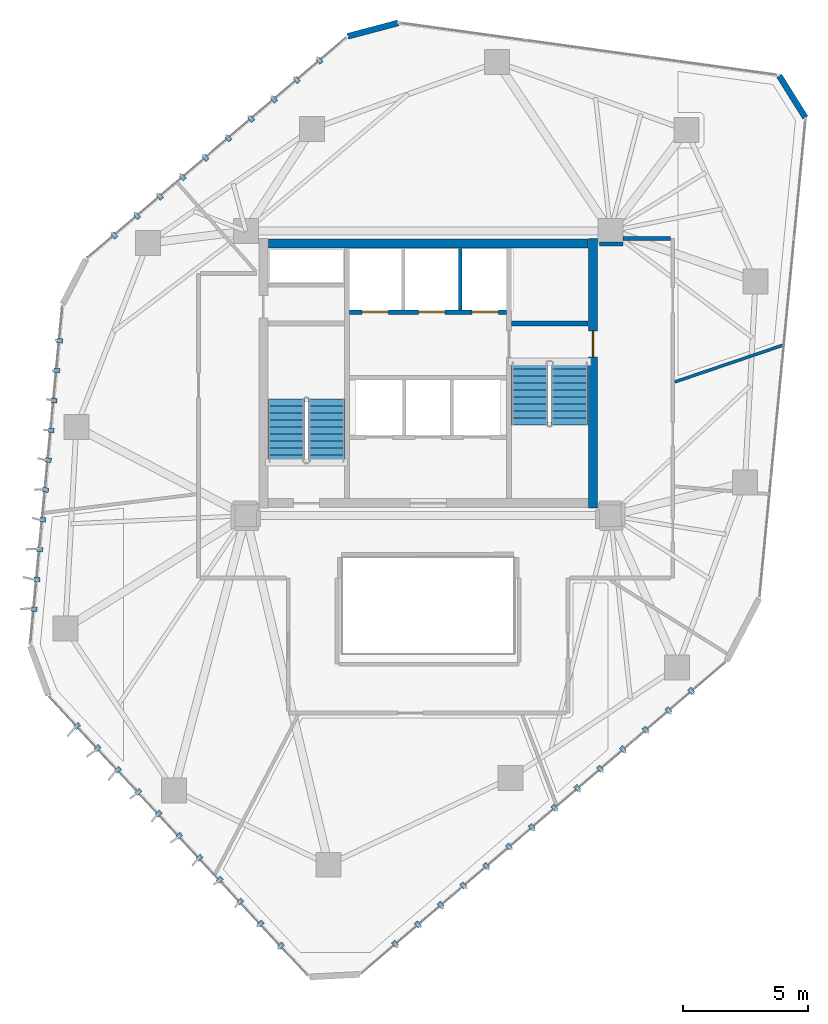
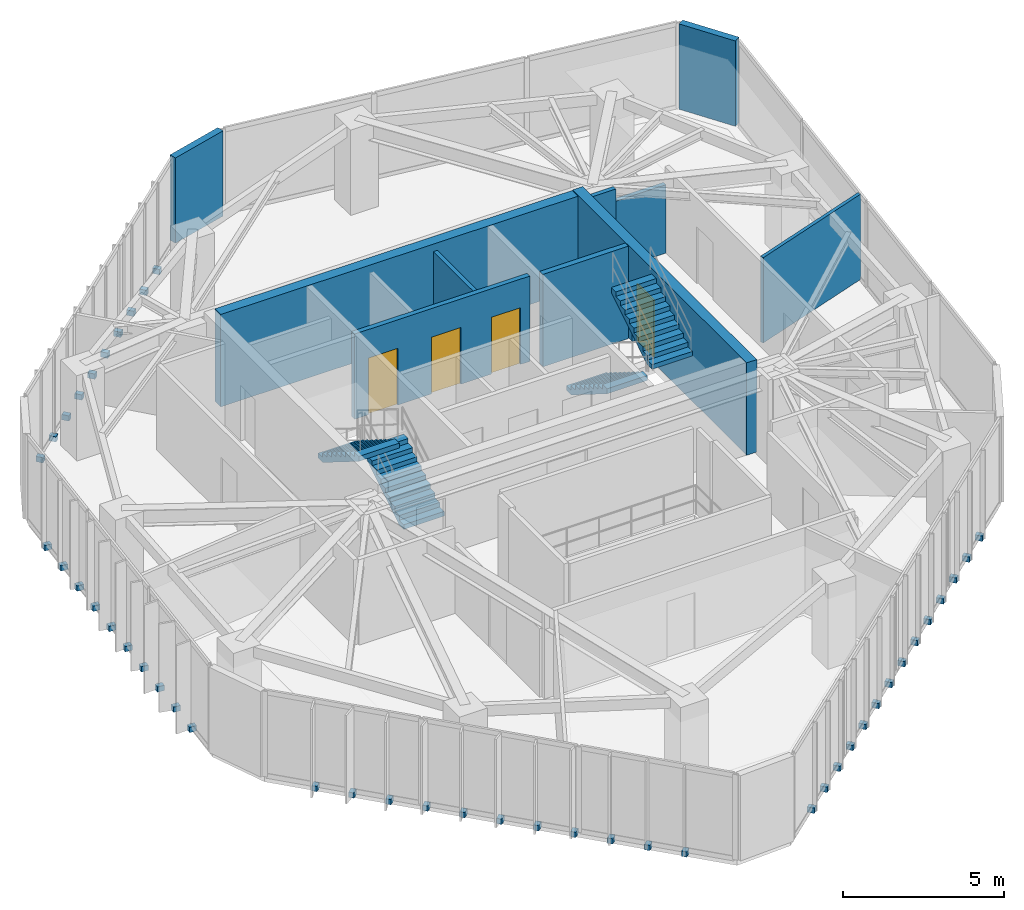
# One storey, part 18 of 20: 45 discrete accessories, 10 walls, 4 doors, 4 stair flights, 4 openings, 2 elements without a shape of their own.
"""IFC4 building model written with IfcOpenShell, lengths in metres."""

from ifc_helpers import new_model, si_unit, direction, frame, frame_2d, origin, origin_2d, place, context, subcontext, project, spatial, polyline, rectangle, outline, extrude, source, transform, mapped, material, layer, layer_set, type_object, type_shapes, element, fill, aggregate, save


model = new_model("IFC4")

# Units and contexts
model_context = context("Model", 3, precision=1e-05, world=origin(), true_north=direction((0.0, 1.0)))
body_context = subcontext(model_context, "Body", "Model", "MODEL_VIEW")
ifc_project = project(units=[si_unit("LENGTHUNIT", "METRE"), si_unit("AREAUNIT", "SQUARE_METRE"), si_unit("VOLUMEUNIT", "CUBIC_METRE"), si_unit("PLANEANGLEUNIT", "RADIAN"), si_unit("MASSUNIT", "GRAM", prefix="KILO")], contexts=[model_context])

# Site, building, storey
site_placement = place(None, origin())
site = spatial("IfcSite", under=ifc_project, at=site_placement, CompositionType="ELEMENT")
building_placement = place(site_placement, origin())
building = spatial("IfcBuilding", under=site, at=building_placement, Name="Talar Marvaseh", CompositionType="ELEMENT")
storey_placement = place(building_placement, frame((0.0, 0.0, 211.699951171875)))
storey = spatial("IfcBuildingStorey", under=building, at=storey_placement, Name="L55", CompositionType="ELEMENT", Elevation=211.699951171875)

# Walls
ifc_material_1 = material(Name="Precast concrete C45/55", Category="concrete")
ifc_layer_1 = layer(ifc_material_1, 0.239990234375)
ifc_layer_set_1 = layer_set([ifc_layer_1], Name="Precast concrete C45/55")
wall_type_1 = type_object("IfcWallType", Name="Chamfered Hexagonal Corner Pier Wall Z3 240", PredefinedType="SOLIDWALL", material=ifc_layer_set_1)
wall_1_placement = place(storey_placement, frame((22.782470703125, 44.70068359375, 0.0), z_axis=(0.0, 0.0, 1.0), x_axis=(0.966490564942, 0.256702138439, 0.0)))
element("IfcWall", 1, at=wall_1_placement, inside=storey, type_object=wall_type_1, Name="L55 Chamfered Corner Limestone Pier 4", PredefinedType="SOLIDWALL", context=body_context, shape_type="SweptSolid", body=[
    extrude(rectangle(XDim=2.088623046875, YDim=0.239990234375, at=frame_2d((1.04443359375, 0.0))), origin(), (0.0, 0.0, 1.0), 3.22998046875),
])
wall_2_placement = place(storey_placement, frame((40.0625, 43.11669921875, 0.0), z_axis=(0.0, 0.0, 1.0), x_axis=(0.531063761858, -0.847331859924, 0.0)))
element("IfcWall", 2, at=wall_2_placement, inside=storey, type_object=wall_type_1, Name="L55 Chamfered Corner Limestone Pier 5", PredefinedType="SOLIDWALL", context=body_context, shape_type="SweptSolid", body=[
    extrude(rectangle(XDim=1.977783203125, YDim=0.239990234375, at=frame_2d((0.98876953125, 0.0))), origin(), (0.0, 0.0, 1.0), 3.22998046875),
])
ifc_material_2 = material(Name="Gypsum Board Partition Assembly")
ifc_layer_2 = layer(ifc_material_2, 0.155029296875)
ifc_layer_set_2 = layer_set([ifc_layer_2], Name="Gypsum Board Partition Assembly")
wall_type_2 = type_object("IfcWallType", Name="Corridor Fire-Rated Acoustic Partition 155", PredefinedType="PARTITIONING", material=ifc_layer_set_2)
wall_3_placement = place(storey_placement, frame((32.8701171875, 36.385009765625, 0.0), z_axis=(0.0, 0.0, 1.0), x_axis=(0.999999965754, 0.000261711585, 0.0)))
element("IfcWall", 3, at=wall_3_placement, inside=storey, type_object=wall_type_2, Name="L55 Interior Partition Wall", PredefinedType="PARTITIONING", context=body_context, shape_type="SweptSolid", body=[
    extrude(rectangle(XDim=0.932861328125, YDim=0.155029296875, at=frame_2d((0.46630859375, 0.0))), origin(), (0.0, 0.0, 1.0), 3.22998046875),
])
wall_4_placement = place(storey_placement, frame((33.81494140625, 36.60009765625, 0.0), z_axis=(0.0, 0.0, 1.0), x_axis=(1.0, 0.0, 0.0)))
element("IfcWall", 4, at=wall_4_placement, inside=storey, type_object=wall_type_2, Name="L55 Interior Partition Wall", PredefinedType="PARTITIONING", context=body_context, shape_type="SweptSolid", body=[
    extrude(rectangle(XDim=1.901611328125, YDim=0.155029296875, at=frame_2d((0.95068359375, 0.0))), origin(), (0.0, 0.0, 1.0), 2.589111328125),
])
ifc_layer_3 = layer(ifc_material_2, 0.1201171875)
ifc_layer_set_3 = layer_set([ifc_layer_3], Name="Gypsum Board Partition Assembly")
wall_type_3 = type_object("IfcWallType", Name="Demountable Studio Room Partition 120", PredefinedType="PARTITIONING", material=ifc_layer_set_3)
wall_5_placement = place(storey_placement, frame((35.883544921875, 30.8583984375, 0.0), z_axis=(0.0, 0.0, 1.0), x_axis=(0.946884036581, 0.321575218678, 0.0)))
element("IfcWall", 5, at=wall_5_placement, inside=storey, type_object=wall_type_3, Name="L55 Interior Partition Wall", PredefinedType="PARTITIONING", context=body_context, shape_type="SweptSolid", body=[
    extrude(rectangle(XDim=4.583984375, YDim=0.1201171875, at=frame_2d((2.2919921875, 0.0))), origin(), (0.0, 0.0, 1.0), 3.22998046875),
])
ifc_layer_4 = layer(ifc_material_1, 0.14501953125)
ifc_layer_set_4 = layer_set([ifc_layer_4], Name="Precast concrete C45/55")
wall_type_4 = type_object("IfcWallType", Name="Fire-Rated Lift Divider Wall 145", PredefinedType="SOLIDWALL", material=ifc_layer_set_4)
wall_6_placement = place(storey_placement, frame((27.280029296875, 33.743408203125, 0.0), z_axis=(0.0, 0.0, 1.0), x_axis=(0.0, 1.0, 0.0)))
element("IfcWall", 6, at=wall_6_placement, inside=storey, type_object=wall_type_4, Name="L55 FFL-2/SVL-1 Divider", PredefinedType="SOLIDWALL", context=body_context, shape_type="SweptSolid", body=[
    extrude(rectangle(XDim=2.45654296875, YDim=0.14501953125, at=frame_2d((1.228271484375, 0.0))), origin(), (0.0, 0.0, 1.0), 3.22998046875),
])

# Wall, openings, doors
ifc_layer_5 = layer(ifc_material_1, 0.175048828125)
ifc_layer_set_5 = layer_set([ifc_layer_5], Name="Precast concrete C45/55")
wall_type_5 = type_object("IfcWallType", Name="Fire-Rated Lift Hoistway Enclosure Wall 175", PredefinedType="SOLIDWALL", material=ifc_layer_set_5)
wall_7_placement = place(storey_placement, frame((22.860107421875, 33.64990234375, 0.0), z_axis=(0.0, 0.0, 1.0), x_axis=(1.0, 0.0, 0.0)))
wall_7 = element("IfcWall", 7, at=wall_7_placement, inside=storey, type_object=wall_type_5, Name="L55 Firefighting and Service Lift Front Wall", PredefinedType="SOLIDWALL", context=body_context, shape_type="SweptSolid", body=[
    extrude(rectangle(XDim=6.27978515625, YDim=0.175048828125, at=frame_2d((3.139892578125, 0.0))), origin(), (0.0, 0.0, 1.0), 3.22998046875),
])
opening_1_placement = place(wall_7_placement, frame((0.5, 0.0, 0.0)))
opening_1 = element("IfcOpeningElement", 8, at=opening_1_placement, cuts=wall_7, Name="Opening LD-FF1", PredefinedType="OPENING", context=body_context, shape_type="SweptSolid", body=[
    extrude(rectangle(XDim=1.050048828125, YDim=2.14990234375, at=frame_2d((0.52490234375, 1.074951171875))), frame((0.0, 0.09765625, 0.0), z_axis=(0.0, -1.0, 0.0), x_axis=(1.0, 0.0, 0.0)), (0.0, 0.0, 1.0), 0.195068359375),
])
opening_2_placement = place(wall_7_placement, frame((2.760009765625, 0.0, 0.0)))
opening_2 = element("IfcOpeningElement", 9, at=opening_2_placement, cuts=wall_7, Name="Opening LD-FF2", PredefinedType="OPENING", context=body_context, shape_type="SweptSolid", body=[
    extrude(rectangle(XDim=1.050048828125, YDim=2.14990234375, at=frame_2d((0.52490234375, 1.074951171875))), frame((0.0, 0.09765625, 0.0), z_axis=(0.0, -1.0, 0.0), x_axis=(1.0, 0.0, 0.0)), (0.0, 0.0, 1.0), 0.195068359375),
])
opening_3_placement = place(wall_7_placement, frame((4.89990234375, 0.0, 0.0)))
opening_3 = element("IfcOpeningElement", 10, at=opening_3_placement, cuts=wall_7, Name="Opening LD-SV1", PredefinedType="OPENING", context=body_context, shape_type="SweptSolid", body=[
    extrude(rectangle(XDim=1.050048828125, YDim=2.14990234375, at=frame_2d((0.52490234375, 1.074951171875))), frame((0.0, 0.09765625, 0.0), z_axis=(0.0, -1.0, 0.0), x_axis=(1.0, 0.0, 0.0)), (0.0, 0.0, 1.0), 0.195068359375),
])
ifc_material_3 = material(Name="Stainless Steel Grade 316", Category="steel")
door_type_1 = type_object("IfcDoorType", Name="Automatic Sliding Lift Landing Door 1050x2150", OperationType="NOTDEFINED", PredefinedType="DOOR", material=ifc_material_3)
shared_shape_1 = source(origin(), body_context, "Body", "SweptSolid", [
    extrude(rectangle(XDim=1.050048828125, YDim=2.14990234375, at=frame_2d((0.52490234375, 1.074951171875))), frame((0.0, 0.02490234375, 0.0), z_axis=(0.0, -1.0, 0.0), x_axis=(1.0, 0.0, 0.0)), (0.0, 0.0, 1.0), 0.050048828125),
])
type_shapes(door_type_1, [shared_shape_1])
door_1_placement = place(opening_1_placement, origin())
door_1 = element("IfcDoor", 11, at=door_1_placement, inside=storey, type_object=door_type_1, Name="L55 Lift FFL-1 Sliding Landing Door", OperationType="SLIDING_TO_LEFT", OverallHeight=2.14990234375, OverallWidth=1.050048828125, PredefinedType="DOOR", context=body_context, shape_type="MappedRepresentation", body=[
    mapped(shared_shape_1, transform((0.0, 0.0, 0.0), x_axis=(1.0, 0.0, 0.0), y_axis=(0.0, 1.0, 0.0), z_axis=(0.0, 0.0, 1.0), scale=1.0)),
])
fill(opening_1, door_1)
door_2_placement = place(opening_2_placement, origin())
door_2 = element("IfcDoor", 12, at=door_2_placement, inside=storey, type_object=door_type_1, Name="L55 Lift FFL-2 Sliding Landing Door", OperationType="SLIDING_TO_LEFT", OverallHeight=2.14990234375, OverallWidth=1.050048828125, PredefinedType="DOOR", context=body_context, shape_type="MappedRepresentation", body=[
    mapped(shared_shape_1, transform((0.0, 0.0, 0.0), x_axis=(1.0, 0.0, 0.0), y_axis=(0.0, 1.0, 0.0), z_axis=(0.0, 0.0, 1.0), scale=1.0)),
])
fill(opening_2, door_2)
door_3_placement = place(opening_3_placement, origin())
door_3 = element("IfcDoor", 13, at=door_3_placement, inside=storey, type_object=door_type_1, Name="L55 Lift SVL-1 Sliding Landing Door", OperationType="SLIDING_TO_LEFT", OverallHeight=2.14990234375, OverallWidth=1.050048828125, PredefinedType="DOOR", context=body_context, shape_type="MappedRepresentation", body=[
    mapped(shared_shape_1, transform((0.0, 0.0, 0.0), x_axis=(1.0, 0.0, 0.0), y_axis=(0.0, 1.0, 0.0), z_axis=(0.0, 0.0, 1.0), scale=1.0)),
])
fill(opening_3, door_3)

# Wall
ifc_material_4 = material(Name="Concrete C50/60", Category="concrete")
ifc_layer_6 = layer(ifc_material_4, 0.199951171875)
ifc_layer_set_6 = layer_set([ifc_layer_6], Name="Concrete C50/60")
wall_type_6 = type_object("IfcWallType", Name="Stair Shaft Structural Concrete Shear Wall 200", PredefinedType="SHEAR", material=ifc_layer_set_6)
wall_8_placement = place(storey_placement, frame((29.340087890625, 33.199951171875, 0.0), z_axis=(0.0, 0.0, 1.0), x_axis=(1.0, 0.0, 0.0)))
element("IfcWall", 14, at=wall_8_placement, inside=storey, type_object=wall_type_6, Name="L55 Stair ST-2 North Shear Wall", PredefinedType="SHEAR", context=body_context, shape_type="SweptSolid", body=[
    extrude(rectangle(XDim=3.059814453125, YDim=0.199951171875, at=frame_2d((1.52978515625, 0.0))), origin(), (0.0, 0.0, 1.0), 3.5),
])

# Wall, opening, door
ifc_layer_7 = layer(ifc_material_4, 0.360107421875)
ifc_layer_set_7 = layer_set([ifc_layer_7], Name="Concrete C50/60")
wall_type_7 = type_object("IfcWallType", Name="Upper Core Reinforced Concrete Shear Wall 360", PredefinedType="SHEAR", material=ifc_layer_set_7)
wall_9_placement = place(storey_placement, frame((32.60009765625, 36.60009765625, 0.0), z_axis=(0.0, 0.0, 1.0), x_axis=(0.0, -1.0, 0.0)))
wall_9 = element("IfcWall", 15, at=wall_9_placement, inside=storey, type_object=wall_type_7, Name="L55 East Core Shear Wall", PredefinedType="SHEAR", context=body_context, shape_type="SweptSolid", body=[
    extrude(rectangle(XDim=10.800048828125, YDim=0.360107421875, at=frame_2d((5.39990234375, 0.0))), origin(), (0.0, 0.0, 1.0), 3.5),
])
opening_4_placement = place(wall_9_placement, frame((3.699951171875, 0.0, 0.0)))
opening_4 = element("IfcOpeningElement", 16, at=opening_4_placement, cuts=wall_9, Name="Opening DR-ST105", PredefinedType="OPENING", context=body_context, shape_type="SweptSolid", body=[
    extrude(rectangle(XDim=1.050048828125, YDim=2.14990234375, at=frame_2d((0.52490234375, 1.074951171875))), frame((0.0, 0.18994140625, 0.0), z_axis=(0.0, -1.0, 0.0), x_axis=(1.0, 0.0, 0.0)), (0.0, 0.0, 1.0), 0.380126953125),
])
ifc_material_5 = material(Name="Fire-Rated Steel Door Leaf", Category="steel")
door_type_2 = type_object("IfcDoorType", Name="Protected Exit Stair Fire Door 1050x2150", OperationType="NOTDEFINED", PredefinedType="DOOR", material=ifc_material_5)
shared_shape_2 = source(origin(), body_context, "Body", "SweptSolid", [
    extrude(rectangle(XDim=1.050048828125, YDim=2.14990234375, at=frame_2d((0.52490234375, 1.074951171875))), frame((0.0, 0.02490234375, 0.0), z_axis=(0.0, -1.0, 0.0), x_axis=(1.0, 0.0, 0.0)), (0.0, 0.0, 1.0), 0.050048828125),
])
type_shapes(door_type_2, [shared_shape_2])
door_4_placement = place(opening_4_placement, origin())
door_4 = element("IfcDoor", 17, at=door_4_placement, inside=storey, type_object=door_type_2, Name="L55 Stair ST-2 Corridor Exit Door", OperationType="SINGLE_SWING_LEFT", OverallHeight=2.14990234375, OverallWidth=1.050048828125, PredefinedType="DOOR", context=body_context, shape_type="MappedRepresentation", body=[
    mapped(shared_shape_2, transform((0.0, 0.0, 0.0), x_axis=(1.0, 0.0, 0.0), y_axis=(0.0, 1.0, 0.0), z_axis=(0.0, 0.0, 1.0), scale=1.0)),
])
fill(opening_4, door_4)

# Wall
wall_10_placement = place(storey_placement, frame((19.60009765625, 36.39990234375, 0.0), z_axis=(0.0, 0.0, 1.0), x_axis=(1.0, 0.0, 0.0)))
element("IfcWall", 18, at=wall_10_placement, inside=storey, type_object=wall_type_7, Name="L55 North Core Shear Wall", PredefinedType="SHEAR", context=body_context, shape_type="SweptSolid", body=[
    extrude(rectangle(XDim=12.7998046875, YDim=0.360107421875, at=frame_2d((6.39990234375, 0.0))), origin(), (0.0, 0.0, 1.0), 3.5),
])

# Stair, stair flights
ifc_material_6 = material(Name="Concrete C40/50", Category="concrete")
stair_type = type_object("IfcStairType", Name="Reinforced Concrete High-Rise Exit Stair Type C", PredefinedType="HALF_TURN_STAIR", material=ifc_material_6)
stair_1_placement = place(storey_placement, origin())
stair_1 = element("IfcStair", 19, at=stair_1_placement, inside=storey, type_object=stair_type, Name="L55 Tower West Core Exit Stair", PredefinedType="HALF_TURN_STAIR")
ifc_layer_8 = layer(ifc_material_6, 0.159912109375)
ifc_layer_set_8 = layer_set([ifc_layer_8], Name="Concrete C40/50")
stair_flight_type = type_object("IfcStairFlightType", Name="Reinforced Concrete Straight Stair Flight 160", PredefinedType="STRAIGHT", material=ifc_layer_set_8)
stair_flight_1_placement = place(storey_placement, frame((21.93505859375, 27.64990234375, 0.0), z_axis=(0.0, 0.0, 1.0), x_axis=(0.0, 1.0, 0.0)))
stair_flight_1 = element("IfcStairFlight", 20, at=stair_flight_1_placement, type_object=stair_flight_type, Name="ST-1 flight 1", NumberOfRisers=10, NumberOfTreads=9, PredefinedType="STRAIGHT", RiserHeight=0.175, TreadLength=0.28, context=body_context, shape_type="SweptSolid", body=[
    extrude(outline(polyline([(0.0, 0.0), (0.0, 0.175048828125), (0.280029296875, 0.175048828125), (0.280029296875, 0.35009765625), (0.56005859375, 0.35009765625), (0.56005859375, 0.52490234375), (0.840087890625, 0.52490234375), (0.840087890625, 0.699951171875), (1.1201171875, 0.699951171875), (1.1201171875, 0.875), (1.39990234375, 0.875), (1.39990234375, 1.050048828125), (1.679931640625, 1.050048828125), (1.679931640625, 1.22509765625), (1.9599609375, 1.22509765625), (1.9599609375, 1.39990234375), (2.239990234375, 1.39990234375), (2.239990234375, 1.574951171875), (2.52001953125, 1.574951171875), (2.52001953125, 1.75), (2.52001953125, 1.386474609375), (0.3017578125, 0.0), (0.0, 0.0)])), frame((0.0, 0.72509765625, 0.0), z_axis=(0.0, -1.0, 0.0), x_axis=(1.0, 0.0, 0.0)), (0.0, 0.0, 1.0), 1.449951171875),
])
stair_flight_2_placement = place(storey_placement, frame((20.324951171875, 30.169921875, 1.75), z_axis=(0.0, 0.0, 1.0), x_axis=(0.0, -1.0, 0.0)))
stair_flight_2 = element("IfcStairFlight", 21, at=stair_flight_2_placement, type_object=stair_flight_type, Name="ST-1 flight 2", NumberOfRisers=10, NumberOfTreads=9, PredefinedType="STRAIGHT", RiserHeight=0.175, TreadLength=0.28, context=body_context, shape_type="SweptSolid", body=[
    extrude(outline(polyline([(0.0, 0.0), (0.0, 0.175048828125), (0.280029296875, 0.175048828125), (0.280029296875, 0.35009765625), (0.56005859375, 0.35009765625), (0.56005859375, 0.52490234375), (0.840087890625, 0.52490234375), (0.840087890625, 0.699951171875), (1.1201171875, 0.699951171875), (1.1201171875, 0.875), (1.39990234375, 0.875), (1.39990234375, 1.050048828125), (1.679931640625, 1.050048828125), (1.679931640625, 1.22509765625), (1.9599609375, 1.22509765625), (1.9599609375, 1.39990234375), (2.239990234375, 1.39990234375), (2.239990234375, 1.574951171875), (2.52001953125, 1.574951171875), (2.52001953125, 1.75), (2.52001953125, 1.386474609375), (0.3017578125, 0.0), (0.0, 0.0)])), frame((0.0, 0.72509765625, 0.0), z_axis=(0.0, -1.0, 0.0), x_axis=(1.0, 0.0, 0.0)), (0.0, 0.0, 1.0), 1.449951171875),
])
aggregate(stair_1, [stair_flight_1, stair_flight_2])

stair_2_placement = place(storey_placement, origin())
stair_2 = element("IfcStair", 22, at=stair_2_placement, inside=storey, type_object=stair_type, Name="L55 Tower East Core Exit Stair", PredefinedType="HALF_TURN_STAIR")
stair_flight_3_placement = place(storey_placement, frame((30.06494140625, 31.64990234375, 0.0), z_axis=(0.0, 0.0, 1.0), x_axis=(0.0, -1.0, 0.0)))
stair_flight_3 = element("IfcStairFlight", 23, at=stair_flight_3_placement, type_object=stair_flight_type, Name="ST-2 flight 1", NumberOfRisers=10, NumberOfTreads=9, PredefinedType="STRAIGHT", RiserHeight=0.175, TreadLength=0.28, context=body_context, shape_type="SweptSolid", body=[
    extrude(outline(polyline([(0.0, 0.0), (0.0, 0.175048828125), (0.280029296875, 0.175048828125), (0.280029296875, 0.35009765625), (0.56005859375, 0.35009765625), (0.56005859375, 0.52490234375), (0.840087890625, 0.52490234375), (0.840087890625, 0.699951171875), (1.1201171875, 0.699951171875), (1.1201171875, 0.875), (1.39990234375, 0.875), (1.39990234375, 1.050048828125), (1.679931640625, 1.050048828125), (1.679931640625, 1.22509765625), (1.9599609375, 1.22509765625), (1.9599609375, 1.39990234375), (2.239990234375, 1.39990234375), (2.239990234375, 1.574951171875), (2.52001953125, 1.574951171875), (2.52001953125, 1.75), (2.52001953125, 1.386474609375), (0.3017578125, 0.0), (0.0, 0.0)])), frame((0.0, 0.72509765625, 0.0), z_axis=(0.0, -1.0, 0.0), x_axis=(1.0, 0.0, 0.0)), (0.0, 0.0, 1.0), 1.449951171875),
])
stair_flight_4_placement = place(storey_placement, frame((31.675048828125, 29.1298828125, 1.75), z_axis=(0.0, 0.0, 1.0), x_axis=(0.0, 1.0, 0.0)))
stair_flight_4 = element("IfcStairFlight", 24, at=stair_flight_4_placement, type_object=stair_flight_type, Name="ST-2 flight 2", NumberOfRisers=10, NumberOfTreads=9, PredefinedType="STRAIGHT", RiserHeight=0.175, TreadLength=0.28, context=body_context, shape_type="SweptSolid", body=[
    extrude(outline(polyline([(0.0, 0.0), (0.0, 0.175048828125), (0.280029296875, 0.175048828125), (0.280029296875, 0.35009765625), (0.56005859375, 0.35009765625), (0.56005859375, 0.52490234375), (0.840087890625, 0.52490234375), (0.840087890625, 0.699951171875), (1.1201171875, 0.699951171875), (1.1201171875, 0.875), (1.39990234375, 0.875), (1.39990234375, 1.050048828125), (1.679931640625, 1.050048828125), (1.679931640625, 1.22509765625), (1.9599609375, 1.22509765625), (1.9599609375, 1.39990234375), (2.239990234375, 1.39990234375), (2.239990234375, 1.574951171875), (2.52001953125, 1.574951171875), (2.52001953125, 1.75), (2.52001953125, 1.386474609375), (0.3017578125, 0.0), (0.0, 0.0)])), frame((0.0, 0.72509765625, 0.0), z_axis=(0.0, -1.0, 0.0), x_axis=(1.0, 0.0, 0.0)), (0.0, 0.0, 1.0), 1.449951171875),
])
aggregate(stair_2, [stair_flight_3, stair_flight_4])

# Discrete accessories
discrete_accessory_type = type_object("IfcDiscreteAccessoryType", Name="Stainless Slab-Edge Fin Mounting Bracket", PredefinedType="BRACKET", material=ifc_material_3)
shared_shape_3 = source(origin(), body_context, "Body", "SweptSolid", [
    extrude(rectangle(XDim=0.239990234375, YDim=0.179931640625, at=origin_2d()), origin(), (0.0, 0.0, 1.0), 0.199951171875),
])
type_shapes(discrete_accessory_type, [shared_shape_3])
for number, where, z_axis, x_axis, name in (
    (25, (20.105712890625, 8.27978515625, -0.1796875), (0.0, 0.0, 1.0), (-0.733136660803, -0.680081345566, 0.0), "L55 Vertical Fin Slab-Edge Bracket"),
    (26, (19.289794921875, 9.15966796875, -0.1796875), (0.0, 0.0, 1.0), (-0.733136660803, -0.680081345566, 0.0), "L55 Vertical Fin Slab-Edge Bracket"),
    (27, (18.4736328125, 10.03955078125, -0.1796875), (0.0, 0.0, 1.0), (-0.733136660803, -0.680081345566, 0.0), "L55 Vertical Fin Slab-Edge Bracket"),
    (28, (17.65771484375, 10.919189453125, -0.1796875), (0.0, 0.0, 1.0), (-0.733136660803, -0.680081345566, 0.0), "L55 Vertical Fin Slab-Edge Bracket"),
    (29, (16.841552734375, 11.799072265625, -0.1796875), (0.0, 0.0, 1.0), (-0.733136660803, -0.680081345566, 0.0), "L55 Vertical Fin Slab-Edge Bracket"),
    (30, (16.025634765625, 12.678955078125, -0.1796875), (0.0, 0.0, 1.0), (-0.733136660803, -0.680081345566, 0.0), "L55 Vertical Fin Slab-Edge Bracket"),
    (31, (15.20947265625, 13.558837890625, -0.1796875), (0.0, 0.0, 1.0), (-0.733136660803, -0.680081345566, 0.0), "L55 Vertical Fin Slab-Edge Bracket"),
    (32, (14.3935546875, 14.438720703125, -0.1796875), (0.0, 0.0, 1.0), (-0.733136660803, -0.680081345566, 0.0), "L55 Vertical Fin Slab-Edge Bracket"),
    (33, (13.577392578125, 15.318359375, -0.1796875), (0.0, 0.0, 1.0), (-0.733136660803, -0.680081345566, 0.0), "L55 Vertical Fin Slab-Edge Bracket"),
    (34, (12.761474609375, 16.1982421875, -0.1796875), (0.0, 0.0, 1.0), (-0.733136660803, -0.680081345566, 0.0), "L55 Vertical Fin Slab-Edge Bracket"),
    (35, (11.9453125, 17.077880859375, -0.1796875), (0.0, 0.0, 1.0), (-0.733136660803, -0.680081345566, 0.0), "L55 Vertical Fin Slab-Edge Bracket"),
    (36, (10.2197265625, 21.75341796875, -0.1796875), (0.0, 0.0, 1.0), (-0.995512553138, 0.09462957542, 0.0), "L55 Vertical Fin Slab-Edge Bracket"),
    (37, (10.333251953125, 22.947998046875, -0.1796875), (0.0, 0.0, 1.0), (-0.995512553138, 0.09462957542, 0.0), "L55 Vertical Fin Slab-Edge Bracket"),
    (38, (10.447021484375, 24.142578125, -0.1796875), (0.0, 0.0, 1.0), (-0.995512553138, 0.09462957542, 0.0), "L55 Vertical Fin Slab-Edge Bracket"),
    (39, (10.560546875, 25.337158203125, -0.1796875), (0.0, 0.0, 1.0), (-0.995512553138, 0.09462957542, 0.0), "L55 Vertical Fin Slab-Edge Bracket"),
    (40, (10.674072265625, 26.53173828125, -0.1796875), (0.0, 0.0, 1.0), (-0.995512553138, 0.09462957542, 0.0), "L55 Vertical Fin Slab-Edge Bracket"),
    (41, (10.78759765625, 27.726318359375, -0.1796875), (0.0, 0.0, 1.0), (-0.995512553138, 0.09462957542, 0.0), "L55 Vertical Fin Slab-Edge Bracket"),
    (42, (10.9013671875, 28.921142578125, -0.1796875), (0.0, 0.0, 1.0), (-0.995512553138, 0.09462957542, 0.0), "L55 Vertical Fin Slab-Edge Bracket"),
    (43, (11.014892578125, 30.11572265625, -0.1796875), (0.0, 0.0, 1.0), (-0.995512553138, 0.09462957542, 0.0), "L55 Vertical Fin Slab-Edge Bracket"),
    (44, (11.12841796875, 31.310302734375, -0.1796875), (0.0, 0.0, 1.0), (-0.995512553138, 0.09462957542, 0.0), "L55 Vertical Fin Slab-Edge Bracket"),
    (45, (11.2421875, 32.5048828125, -0.1796875), (0.0, 0.0, 1.0), (-0.995512553138, 0.09462957542, 0.0), "L55 Vertical Fin Slab-Edge Bracket"),
    (46, (13.435302734375, 36.71826171875, -0.1796875), (0.0, 0.0, 1.0), (-0.648518552727, 0.761198848376, 0.0), "L55 Vertical Fin Slab-Edge Bracket"),
    (47, (14.348876953125, 37.49658203125, -0.1796875), (0.0, 0.0, 1.0), (-0.648518552727, 0.761198848376, 0.0), "L55 Vertical Fin Slab-Edge Bracket"),
    (48, (15.26220703125, 38.27490234375, -0.1796875), (0.0, 0.0, 1.0), (-0.648518552727, 0.761198848376, 0.0), "L55 Vertical Fin Slab-Edge Bracket"),
    (49, (16.175537109375, 39.052978515625, -0.1796875), (0.0, 0.0, 1.0), (-0.648518552727, 0.761198848376, 0.0), "L55 Vertical Fin Slab-Edge Bracket"),
    (50, (17.089111328125, 39.831298828125, -0.1796875), (0.0, 0.0, 1.0), (-0.648518552727, 0.761198848376, 0.0), "L55 Vertical Fin Slab-Edge Bracket"),
    (51, (18.00244140625, 40.609619140625, -0.1796875), (0.0, 0.0, 1.0), (-0.648518552727, 0.761198848376, 0.0), "L55 Vertical Fin Slab-Edge Bracket"),
    (52, (18.916015625, 41.3876953125, -0.1796875), (0.0, 0.0, 1.0), (-0.648518552727, 0.761198848376, 0.0), "L55 Vertical Fin Slab-Edge Bracket"),
    (53, (19.829345703125, 42.166015625, -0.1796875), (0.0, 0.0, 1.0), (-0.648518552727, 0.761198848376, 0.0), "L55 Vertical Fin Slab-Edge Bracket"),
    (54, (20.74267578125, 42.9443359375, -0.1796875), (0.0, 0.0, 1.0), (-0.648518552727, 0.761198848376, 0.0), "L55 Vertical Fin Slab-Edge Bracket"),
    (55, (21.656005859375, 43.72265625, -0.1796875), (0.0, 0.0, 1.0), (-0.648518552727, 0.761198848376, 0.0), "L55 Vertical Fin Slab-Edge Bracket"),
    (56, (36.534423828125, 18.484619140625, -0.1796875), (0.0, 0.0, 1.0), (0.649580754315, -0.760292603951, 0.0), "L55 Vertical Fin Slab-Edge Bracket"),
    (57, (35.6220703125, 17.705078125, -0.1796875), (0.0, 0.0, 1.0), (0.649580754315, -0.760292603951, 0.0), "L55 Vertical Fin Slab-Edge Bracket"),
    (58, (34.709716796875, 16.92578125, -0.1796875), (0.0, 0.0, 1.0), (0.649580754315, -0.760292603951, 0.0), "L55 Vertical Fin Slab-Edge Bracket"),
    (59, (33.79736328125, 16.146240234375, -0.1796875), (0.0, 0.0, 1.0), (0.649580754315, -0.760292603951, 0.0), "L55 Vertical Fin Slab-Edge Bracket"),
    (60, (32.885009765625, 15.36669921875, -0.1796875), (0.0, 0.0, 1.0), (0.649580754315, -0.760292603951, 0.0), "L55 Vertical Fin Slab-Edge Bracket"),
    (61, (31.97265625, 14.58740234375, -0.1796875), (0.0, 0.0, 1.0), (0.649580754315, -0.760292603951, 0.0), "L55 Vertical Fin Slab-Edge Bracket"),
    (62, (31.060302734375, 13.807861328125, -0.1796875), (0.0, 0.0, 1.0), (0.649580754315, -0.760292603951, 0.0), "L55 Vertical Fin Slab-Edge Bracket"),
    (63, (30.147705078125, 13.0283203125, -0.1796875), (0.0, 0.0, 1.0), (0.649580754315, -0.760292603951, 0.0), "L55 Vertical Fin Slab-Edge Bracket"),
    (64, (29.235595703125, 12.248779296875, -0.1796875), (0.0, 0.0, 1.0), (0.649580754315, -0.760292603951, 0.0), "L55 Vertical Fin Slab-Edge Bracket"),
    (65, (28.322998046875, 11.46923828125, -0.1796875), (0.0, 0.0, 1.0), (0.649580754315, -0.760292603951, 0.0), "L55 Vertical Fin Slab-Edge Bracket"),
    (66, (27.41064453125, 10.68994140625, -0.1796875), (0.0, 0.0, 1.0), (0.649580754315, -0.760292603951, 0.0), "L55 Vertical Fin Slab-Edge Bracket"),
    (67, (26.498291015625, 9.910400390625, -0.1796875), (0.0, 0.0, 1.0), (0.649580754315, -0.760292603951, 0.0), "L55 Vertical Fin Slab-Edge Bracket"),
    (68, (25.5859375, 9.130859375, -0.1796875), (0.0, 0.0, 1.0), (0.649580754315, -0.760292603951, 0.0), "L55 Vertical Fin Slab-Edge Bracket"),
    (69, (24.673583984375, 8.351318359375, -0.1796875), (0.0, 0.0, 1.0), (0.649580754315, -0.760292603951, 0.0), "L55 Vertical Fin Slab-Edge Bracket"),
):
    element("IfcDiscreteAccessory", number, at=place(storey_placement, frame(where, z_axis=z_axis, x_axis=x_axis)), inside=storey, type_object=discrete_accessory_type, Name=name, PredefinedType="BRACKET", context=body_context, shape_type="MappedRepresentation", body=[
        mapped(shared_shape_3, transform((0.0, 0.0, 0.0), x_axis=(1.0, 0.0, 0.0), y_axis=(0.0, 1.0, 0.0), z_axis=(0.0, 0.0, 1.0), scale=1.0)),
    ])

save(model, "model.ifc")
